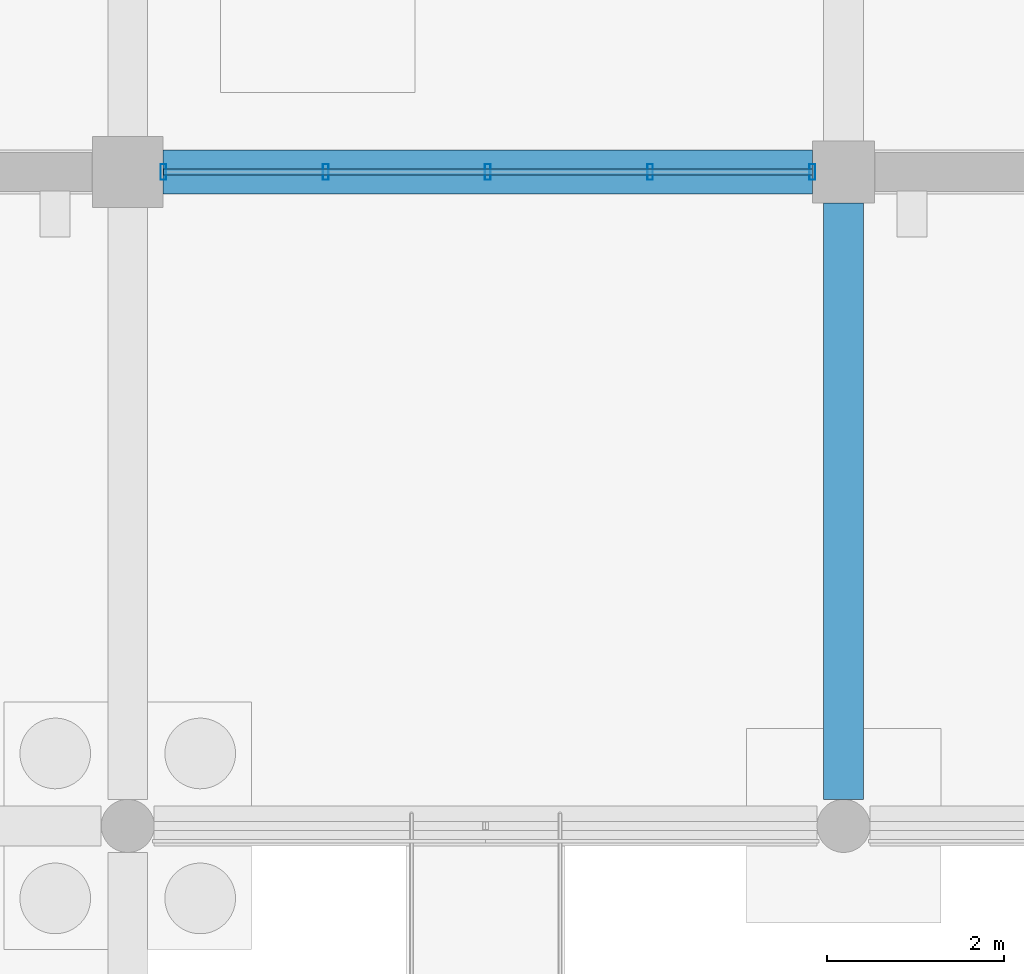
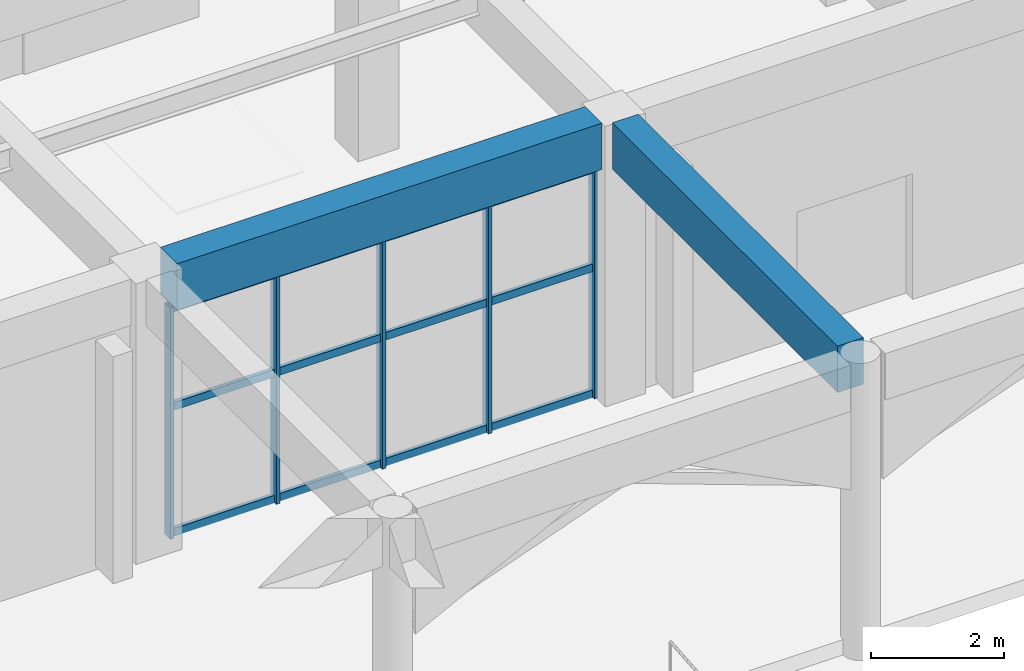
# One storey, part 33 of 140: 8 members, 2 beams, 1 element without a shape of its own.
"""IFC4 building model written with IfcOpenShell, lengths in metres."""

import ifcopenshell
import ifcopenshell.guid

model = None  # the IFC model being written
_history = None  # IfcOwnerHistory: only IFC2X3 demands one
_inside = {}  # id of a spatial element -> (the spatial element, [elements in it])
_under = {}  # id of a project, library or spatial element -> (it, [spatial elements below it])
_declared = {}  # id of a project -> (the project, [libraries it declares])
_typed = {}  # id of a type object -> (the type object, [elements of that type])
_made_of = {}  # id of a material, layer set ... -> (it, [elements and type objects made of it])


def new_model(schema):
    """Start an empty IFC model of exactly this schema.

    Asked for "IFC4X3", IfcOpenShell would pick the latest addendum, in which some entities
    have other attributes; the version numbers below select the first issue.
    IFC2X3 requires an IfcOwnerHistory on every rooted entity: one is made here for all.
    """
    global model, _history
    if schema == "IFC4X3":
        model = ifcopenshell.file(schema_version=(4, 3, 0, 0))
    else:
        model = ifcopenshell.file(schema=schema)
    _inside.clear()
    _under.clear()
    _declared.clear()
    _typed.clear()
    _made_of.clear()
    _history = None
    if model.schema == "IFC2X3":
        org = make("IfcOrganization", Name="unknown")
        user = make(
            "IfcPersonAndOrganization",
            ThePerson=make("IfcPerson", FamilyName="unknown"),
            TheOrganization=org,
        )
        app = make(
            "IfcApplication",
            ApplicationDeveloper=org,
            Version="unknown",
            ApplicationFullName="unknown",
            ApplicationIdentifier="unknown",
        )
        _history = make(
            "IfcOwnerHistory",
            OwningUser=user,
            OwningApplication=app,
            ChangeAction="ADDED",
            CreationDate=0,
        )
    return model


def make(cls, **values):
    """One entity of the class cls with the attributes given. An attribute that is None is left unset."""
    return model.create_entity(
        cls, **{name: value for name, value in values.items() if value is not None}
    )


def rooted(cls, **values):
    """An entity with a GlobalId (a new one), such as an element, a storey or a relation."""
    return make(cls, GlobalId=ifcopenshell.guid.new(), OwnerHistory=_history, **values)


def si_unit(unit_type, name, prefix=None):
    """IfcSIUnit, for example si_unit("LENGTHUNIT", "METRE", prefix="MILLI")."""
    return make("IfcSIUnit", UnitType=unit_type, Prefix=prefix, Name=name)


def assignment(units):
    """IfcUnitAssignment: the units of a project."""
    return None if units is None else make("IfcUnitAssignment", Units=units)


def point(xyz):
    """IfcCartesianPoint."""
    return None if xyz is None else make("IfcCartesianPoint", Coordinates=xyz)


def direction(xyz):
    """IfcDirection."""
    return None if xyz is None else make("IfcDirection", DirectionRatios=xyz)


def frame(location, z_axis=None, x_axis=None):
    """IfcAxis2Placement3D, a coordinate frame: its origin and axes. An axis left out is left unset."""
    return make(
        "IfcAxis2Placement3D",
        Location=point(location),
        Axis=direction(z_axis),
        RefDirection=direction(x_axis),
    )


def frame_2d(location, x_axis=None):
    """IfcAxis2Placement2D, a coordinate frame in the plane: its origin and x axis."""
    return make(
        "IfcAxis2Placement2D", Location=point(location), RefDirection=direction(x_axis)
    )


def origin():
    """The frame at (0, 0, 0) with its axes left unset."""
    return frame((0.0, 0.0, 0.0))


def origin_2d():
    """The frame at (0, 0) in the plane with its x axis left unset."""
    return frame_2d((0.0, 0.0))


def place(relative_to, where):
    """IfcLocalPlacement: puts the frame where relative to a parent placement (None: the world)."""
    return make(
        "IfcLocalPlacement", PlacementRelTo=relative_to, RelativePlacement=where
    )


def context(
    kind, dimensions, precision=None, world=None, true_north=None, identifier=None
):
    """IfcGeometricRepresentationContext, for example the 3D "Model" context."""
    return make(
        "IfcGeometricRepresentationContext",
        ContextIdentifier=identifier,
        ContextType=kind,
        CoordinateSpaceDimension=dimensions,
        Precision=precision,
        WorldCoordinateSystem=world,
        TrueNorth=true_north,
    )


def subcontext(parent, identifier, kind, view, scale=None):
    """IfcGeometricRepresentationSubContext, for example "Body" below "Model"."""
    return make(
        "IfcGeometricRepresentationSubContext",
        ContextIdentifier=identifier,
        ContextType=kind,
        ParentContext=parent,
        TargetScale=scale,
        TargetView=view,
    )


def project(units=None, contexts=None):
    """IfcProject with its units and contexts."""
    return rooted(
        "IfcProject",
        Name="project",
        RepresentationContexts=contexts,
        UnitsInContext=assignment(units),
    )


def spatial(cls, under=None, at=None, **own):
    """A site, building, storey or space (cls), placed at a placement, below another one or the project."""
    s = rooted(cls, ObjectPlacement=at, **own)
    if under is not None:
        _under.setdefault(under.id(), (under, []))[1].append(s)
    return s


def profile(cls, at=None, kind="AREA", **sizes):
    """A parametric profile (cls). Its sizes go by their IFC names, for example OverallWidth=200.0."""
    return make(cls, ProfileType=kind, Position=at, **sizes)


def rectangle(**sizes):
    """IfcRectangleProfileDef."""
    return profile("IfcRectangleProfileDef", **sizes)


def hollow_rectangle(**sizes):
    """IfcRectangleHollowProfileDef."""
    return profile("IfcRectangleHollowProfileDef", **sizes)


def extrude(swept, where, along, depth):
    """IfcExtrudedAreaSolid: the profile swept, set in the frame where, extruded along a direction by depth."""
    return make(
        "IfcExtrudedAreaSolid",
        SweptArea=swept,
        Position=where,
        ExtrudedDirection=direction(along),
        Depth=depth,
    )


def shape(context_of_items, identifier, shape_type, items):
    """IfcShapeRepresentation: the items that make up one representation, for example the "Body"."""
    return make(
        "IfcShapeRepresentation",
        ContextOfItems=context_of_items,
        RepresentationIdentifier=identifier,
        RepresentationType=shape_type,
        Items=items,
    )


def material(Name=None, Category=None):
    """IfcMaterial."""
    return make("IfcMaterial", Name=Name, Category=Category)


def material_profile(
    of_material, cross_section, Name=None, Category=None, Priority=None
):
    """IfcMaterialProfile: a cross section and its material."""
    return make(
        "IfcMaterialProfile",
        Name=Name,
        Material=of_material,
        Profile=cross_section,
        Priority=Priority,
        Category=Category,
    )


def profile_set(profiles, Name=None, composite=None):
    """IfcMaterialProfileSet."""
    return make(
        "IfcMaterialProfileSet",
        Name=Name,
        MaterialProfiles=profiles,
        CompositeProfile=composite,
    )


def made_of(thing, what):
    """Note that an element or type object is made of a material, layer set ...; save() writes the relation."""
    if what is not None:
        _made_of.setdefault(what.id(), (what, []))[1].append(thing)
    return thing


def type_object(cls, material=None, **own):
    """A type object (cls), such as IfcWallType, which elements share."""
    return made_of(rooted(cls, **own), material)


def element(
    cls,
    number,
    at=None,
    inside=None,
    cuts=None,
    type_object=None,
    material=None,
    context=None,
    identifier="Body",
    shape_type=None,
    held_by="IfcProductDefinitionShape",
    body=None,
    shapes=None,
    **own,
):
    """One element of the class cls, such as IfcWall. Its Tag is "e" and its number.

    at: its placement. inside: the storey or other place that contains it. cuts: it is an
    opening in that element (IfcRelVoidsElement). A single representation is given by context,
    identifier, shape_type and body (its items); several are given by shapes. held_by: the class
    of the entity that holds the representations. save() writes the other relations.
    """
    e = rooted(cls, Tag="e%d" % number, ObjectPlacement=at, **own)
    if body is not None:
        shapes = [shape(context, identifier, shape_type, body)]
    if shapes is not None:
        e.Representation = make(held_by, Representations=shapes)
    if inside is not None:
        _inside.setdefault(inside.id(), (inside, []))[1].append(e)
    if cuts is not None:
        rooted(
            "IfcRelVoidsElement", RelatingBuildingElement=cuts, RelatedOpeningElement=e
        )
    if type_object is not None:
        _typed.setdefault(type_object.id(), (type_object, []))[1].append(e)
    return made_of(e, material)


def aggregate(whole, parts):
    """IfcRelAggregates: a whole, such as a stair, and the parts it consists of."""
    return rooted("IfcRelAggregates", RelatingObject=whole, RelatedObjects=parts)


def save(model, path):
    """Write the relations noted so far, then the file.

    IfcRelAggregates (storeys below a building ...), IfcRelContainedInSpatialStructure (elements
    in a storey), IfcRelDefinesByType, IfcRelAssociatesMaterial and IfcRelDeclares: one each for
    every whole, place, type object, material and project.
    """
    for whole, parts in _under.values():
        aggregate(whole, parts)
    for where, things in _inside.values():
        rooted(
            "IfcRelContainedInSpatialStructure",
            RelatedElements=things,
            RelatingStructure=where,
        )
    for kind, things in _typed.values():
        rooted("IfcRelDefinesByType", RelatedObjects=things, RelatingType=kind)
    for what, things in _made_of.values():
        rooted("IfcRelAssociatesMaterial", RelatedObjects=things, RelatingMaterial=what)
    for by, libraries in _declared.values():
        rooted("IfcRelDeclares", RelatingContext=by, RelatedDefinitions=libraries)
    model.write(path)


model = new_model("IFC4")

# Units and contexts
model_context = context("Model", 3, precision=1e-05, world=origin(), true_north=direction((0.0, 1.0)))
body_context = subcontext(model_context, "Body", "Model", "MODEL_VIEW")
ifc_project = project(units=[si_unit("LENGTHUNIT", "METRE"), si_unit("AREAUNIT", "SQUARE_METRE"), si_unit("VOLUMEUNIT", "CUBIC_METRE"), si_unit("PLANEANGLEUNIT", "RADIAN"), si_unit("MASSUNIT", "GRAM", prefix="KILO")], contexts=[model_context])

# Site, building, storey
site_placement = place(None, origin())
site = spatial("IfcSite", under=ifc_project, at=site_placement, CompositionType="ELEMENT")
building_placement = place(site_placement, origin())
building = spatial("IfcBuilding", under=site, at=building_placement, Name="Cimatlan Art Gallery", CompositionType="ELEMENT")
storey_placement = place(building_placement, origin())
storey = spatial("IfcBuildingStorey", under=building, at=storey_placement, Name="L00", CompositionType="ELEMENT", Elevation=0.0)

# Beams
ifc_material_1 = material(Name="Concrete C40/50", Category="concrete")
ifc_material_profile_1 = material_profile(ifc_material_1, rectangle(XDim=0.449951171875, YDim=0.85009765625, at=origin_2d()), Name="RC450X850")
ifc_profile_set_1 = profile_set([ifc_material_profile_1], Name="Concrete C40/50")
beam_type_1 = type_object("IfcBeamType", Name="BM-ARC-450X850", PredefinedType="SPANDREL", material=ifc_profile_set_1)
beam_1_placement = place(storey_placement, frame((107.300048828125, 16.800048828125, 4.735107421875), z_axis=(0.0, 1.0, 0.0), x_axis=(-1.0, 0.0, 0.0)))
element("IfcBeam", 1, at=beam_1_placement, inside=storey, type_object=beam_type_1, Name="BM-ARC-Y-13-02", PredefinedType="SPANDREL", context=body_context, shape_type="SweptSolid", body=[
    extrude(rectangle(XDim=0.449951171875, YDim=0.85009765625, at=origin_2d()), origin(), (0.0, 0.0, 1.0), 6.75),
])
ifc_material_profile_2 = material_profile(ifc_material_1, rectangle(XDim=0.5, YDim=0.85009765625, at=origin_2d()), Name="RC500X850")
ifc_profile_set_2 = profile_set([ifc_material_profile_2], Name="Concrete C40/50")
beam_type_2 = type_object("IfcBeamType", Name="BM-RC-500X850", PredefinedType="BEAM", material=ifc_profile_set_2)
beam_2_placement = place(storey_placement, frame((99.60009765625, 23.89990234375, 4.7099609375), z_axis=(1.0, 0.0, 0.0), x_axis=(0.0, 1.0, 0.0)))
element("IfcBeam", 2, at=beam_2_placement, inside=storey, type_object=beam_type_2, Name="BM-X-L00-12-03", PredefinedType="BEAM", context=body_context, shape_type="SweptSolid", body=[
    extrude(rectangle(XDim=0.5, YDim=0.85009765625, at=origin_2d()), origin(), (0.0, 0.0, 1.0), 7.349853515625),
])

# Curtain wall, members
ifc_material_2 = material(Name="Anodised bronze unitised curtain wall")
curtain_wall_type = type_object("IfcCurtainWallType", Name="CW-V-07342X04225-B4", PredefinedType="NOTDEFINED", material=ifc_material_2)
curtain_wall_placement = place(storey_placement, origin())
curtain_wall = element("IfcCurtainWall", 3, at=curtain_wall_placement, inside=storey, type_object=curtain_wall_type, Name="CW-L00-12-03-S", PredefinedType="NOTDEFINED")
ifc_material_3 = material(Name="Anodised bronze aluminium 6063-T6", Category="aluminium")
ifc_material_profile_3 = material_profile(ifc_material_3, hollow_rectangle(XDim=0.06494140625, YDim=0.179931640625, WallThickness=0.00390625, at=origin_2d()), Name="ALU65X180X4")
ifc_profile_set_3 = profile_set([ifc_material_profile_3], Name="Anodised bronze aluminium 6063-T6")
member_type_1 = type_object("IfcMemberType", Name="CW-MUL-180", PredefinedType="MULLION", material=ifc_profile_set_3)
member_1_placement = place(storey_placement, frame((106.946044921875, 23.89990234375, 0.0), z_axis=(0.0, 0.0, 1.0), x_axis=(1.0, 0.0, 0.0)))
member_1 = element("IfcMember", 4, at=member_1_placement, type_object=member_type_1, Name="CW-L00-12-03-S-M1", PredefinedType="MULLION", context=body_context, shape_type="SweptSolid", body=[
    extrude(hollow_rectangle(XDim=0.06494140625, YDim=0.179931640625, WallThickness=0.00390625, at=origin_2d()), origin(), (0.0, 0.0, 1.0), 4.22509765625),
])
member_2_placement = place(storey_placement, frame((105.110595703125, 23.89990234375, 0.0), z_axis=(0.0, 0.0, 1.0), x_axis=(1.0, 0.0, 0.0)))
member_2 = element("IfcMember", 5, at=member_2_placement, type_object=member_type_1, Name="CW-L00-12-03-S-M2", PredefinedType="MULLION", context=body_context, shape_type="SweptSolid", body=[
    extrude(hollow_rectangle(XDim=0.06494140625, YDim=0.179931640625, WallThickness=0.00390625, at=origin_2d()), origin(), (0.0, 0.0, 1.0), 4.22509765625),
])
member_3_placement = place(storey_placement, frame((103.27490234375, 23.89990234375, 0.0), z_axis=(0.0, 0.0, 1.0), x_axis=(1.0, 0.0, 0.0)))
member_3 = element("IfcMember", 6, at=member_3_placement, type_object=member_type_1, Name="CW-L00-12-03-S-M3", PredefinedType="MULLION", context=body_context, shape_type="SweptSolid", body=[
    extrude(hollow_rectangle(XDim=0.06494140625, YDim=0.179931640625, WallThickness=0.00390625, at=origin_2d()), origin(), (0.0, 0.0, 1.0), 4.22509765625),
])
member_4_placement = place(storey_placement, frame((101.439453125, 23.89990234375, 0.0), z_axis=(0.0, 0.0, 1.0), x_axis=(1.0, 0.0, 0.0)))
member_4 = element("IfcMember", 7, at=member_4_placement, type_object=member_type_1, Name="CW-L00-12-03-S-M4", PredefinedType="MULLION", context=body_context, shape_type="SweptSolid", body=[
    extrude(hollow_rectangle(XDim=0.06494140625, YDim=0.179931640625, WallThickness=0.00390625, at=origin_2d()), origin(), (0.0, 0.0, 1.0), 4.22509765625),
])
member_5_placement = place(storey_placement, frame((99.60400390625, 23.89990234375, 0.0), z_axis=(0.0, 0.0, 1.0), x_axis=(1.0, 0.0, 0.0)))
member_5 = element("IfcMember", 8, at=member_5_placement, type_object=member_type_1, Name="CW-L00-12-03-S-M5", PredefinedType="MULLION", context=body_context, shape_type="SweptSolid", body=[
    extrude(hollow_rectangle(XDim=0.06494140625, YDim=0.179931640625, WallThickness=0.00390625, at=origin_2d()), origin(), (0.0, 0.0, 1.0), 4.22509765625),
])
ifc_material_profile_4 = material_profile(ifc_material_3, hollow_rectangle(XDim=0.06494140625, YDim=0.139892578125, WallThickness=0.00390625, at=origin_2d()), Name="ALU65X140X4")
ifc_profile_set_4 = profile_set([ifc_material_profile_4], Name="Anodised bronze aluminium 6063-T6")
member_type_2 = type_object("IfcMemberType", Name="CW-TRN-140", PredefinedType="USERDEFINED", material=ifc_profile_set_4)
member_6_placement = place(storey_placement, frame((106.946044921875, 23.89990234375, 0.06005859375), z_axis=(-1.0, 0.0, 0.0), x_axis=(0.0, -1.0, 0.0)))
member_6 = element("IfcMember", 9, at=member_6_placement, type_object=member_type_2, Name="CW-L00-12-03-S-T1", ObjectType="TRANSOM", PredefinedType="USERDEFINED", context=body_context, shape_type="SweptSolid", body=[
    extrude(hollow_rectangle(XDim=0.06494140625, YDim=0.139892578125, WallThickness=0.00390625, at=origin_2d()), origin(), (0.0, 0.0, 1.0), 7.342041015625),
])
member_7_placement = place(storey_placement, frame((106.946044921875, 23.89990234375, 2.365966796875), z_axis=(-1.0, 0.0, 0.0), x_axis=(0.0, -1.0, 0.0)))
member_7 = element("IfcMember", 10, at=member_7_placement, type_object=member_type_2, Name="CW-L00-12-03-S-T2", ObjectType="TRANSOM", PredefinedType="USERDEFINED", context=body_context, shape_type="SweptSolid", body=[
    extrude(hollow_rectangle(XDim=0.06494140625, YDim=0.139892578125, WallThickness=0.00390625, at=origin_2d()), origin(), (0.0, 0.0, 1.0), 7.342041015625),
])
member_8_placement = place(storey_placement, frame((106.946044921875, 23.89990234375, 4.1650390625), z_axis=(-1.0, 0.0, 0.0), x_axis=(0.0, -1.0, 0.0)))
member_8 = element("IfcMember", 11, at=member_8_placement, type_object=member_type_2, Name="CW-L00-12-03-S-T3", ObjectType="TRANSOM", PredefinedType="USERDEFINED", context=body_context, shape_type="SweptSolid", body=[
    extrude(hollow_rectangle(XDim=0.06494140625, YDim=0.139892578125, WallThickness=0.00390625, at=origin_2d()), origin(), (0.0, 0.0, 1.0), 7.342041015625),
])
aggregate(curtain_wall, [member_1, member_2, member_3, member_4, member_5, member_6, member_7, member_8])

save(model, "model.ifc")
